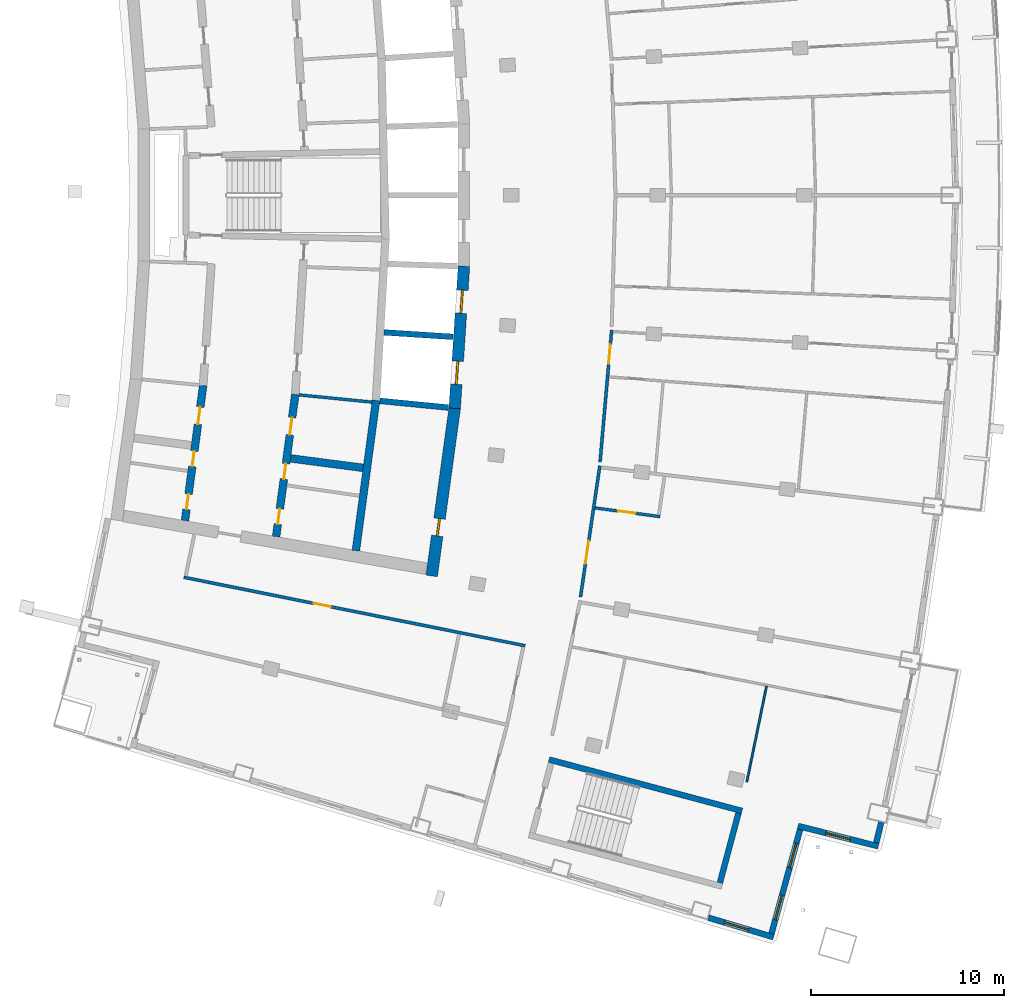
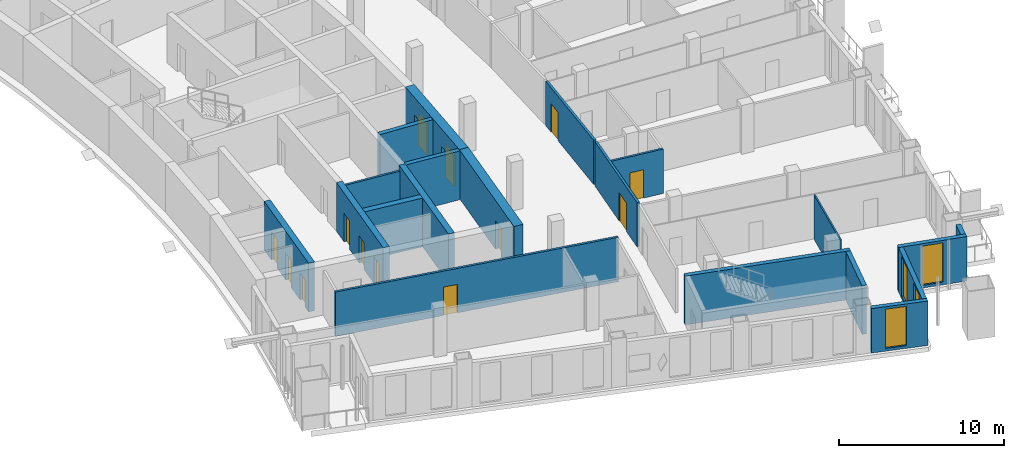
# One storey, part 10 of 19: 20 walls, 13 doors, 4 windows, 17 openings.
"""IFC4 building model written with IfcOpenShell, lengths in metres."""

from ifc_helpers import new_model, si_unit, direction, frame, frame_2d, origin, place, context, subcontext, project, spatial, rectangle, extrude, material, layer, layer_set, type_object, element, fill, save


model = new_model("IFC4")

# Units and contexts
model_context = context("Model", 3, precision=1e-05, world=origin(), true_north=direction((0.0, 1.0)))
body_context = subcontext(model_context, "Body", "Model", "MODEL_VIEW")
ifc_project = project(units=[si_unit("LENGTHUNIT", "METRE"), si_unit("AREAUNIT", "SQUARE_METRE"), si_unit("VOLUMEUNIT", "CUBIC_METRE"), si_unit("PLANEANGLEUNIT", "RADIAN"), si_unit("MASSUNIT", "GRAM", prefix="KILO")], contexts=[model_context])

# Site, building, storey
site_placement = place(None, origin())
site = spatial("IfcSite", under=ifc_project, at=site_placement, CompositionType="ELEMENT")
building_placement = place(site_placement, origin())
building = spatial("IfcBuilding", under=site, at=building_placement, Name="Alderwake Tower", CompositionType="ELEMENT")
storey_placement = place(building_placement, frame((0.0, 0.0, 196.39990234375)))
storey = spatial("IfcBuildingStorey", under=building, at=storey_placement, Name="L48", CompositionType="ELEMENT", Elevation=196.39990234375)

# Wall
ifc_material_1 = material(Name="Gypsum shaft wall system, rated")
ifc_layer_1 = layer(ifc_material_1, 0.14990234375)
ifc_layer_set_1 = layer_set([ifc_layer_1], Name="Core room partition 150")
wall_type_1 = type_object("IfcWallType", Name="Core room partition 150", PredefinedType="PARTITIONING", material=ifc_layer_set_1)
wall_1_placement = place(storey_placement, frame((24.789794921875, 50.64501953125, 0.0), z_axis=(0.0, 0.0, 1.0), x_axis=(0.995153039802, -0.098338331148, 0.0)))
element("IfcWall", 1, at=wall_1_placement, inside=storey, type_object=wall_type_1, Name="CW/L48/PR-103_+86", PredefinedType="PARTITIONING", context=body_context, shape_type="SweptSolid", body=[
    extrude(rectangle(XDim=3.7958984375, YDim=0.14990234375, at=frame_2d((1.89794921875, 0.0))), origin(), (0.0, 0.0, 1.0), 3.280029296875),
])

# Wall, opening, door
ifc_material_2 = material(Name="Concrete C70/85", Category="concrete")
ifc_layer_2 = layer(ifc_material_2, 0.60009765625)
ifc_layer_set_2 = layer_set([ifc_layer_2], Name="Core wall outer 600 C70-85")
wall_type_2 = type_object("IfcWallType", Name="Core wall outer 600 C70-85", PredefinedType="SHEAR", material=ifc_layer_set_2)
wall_2_placement = place(storey_placement, frame((32.862548828125, 49.967529296875, 0.0), z_axis=(0.0, 0.0, 1.0), x_axis=(-0.135856583698, -0.990728514108, 0.0)))
wall_2 = element("IfcWall", 2, at=wall_2_placement, inside=storey, type_object=wall_type_2, Name="Core wall CW.017", PredefinedType="SHEAR", context=body_context, shape_type="SweptSolid", body=[
    extrude(rectangle(XDim=8.79296875, YDim=0.60009765625, at=frame_2d((4.396484375, 0.0))), origin(), (0.0, 0.0, 1.0), 3.60009765625),
])
opening_1_placement = place(wall_2_placement, frame((5.79541015625, 0.0, 0.0)))
opening_1 = element("IfcOpeningElement", 3, at=opening_1_placement, cuts=wall_2, Name="Opening C060", PredefinedType="OPENING", context=body_context, shape_type="SweptSolid", body=[
    extrude(rectangle(XDim=0.89990234375, YDim=2.10009765625, at=frame_2d((0.449951171875, 1.050048828125))), frame((0.0, 0.31005859375, 0.0), z_axis=(0.0, -1.0, 0.0), x_axis=(1.0, 0.0, 0.0)), (0.0, 0.0, 1.0), 0.6201171875),
])
ifc_material_3 = material(Name="Painted steel leaf", Category="steel")
door_type_1 = type_object("IfcDoorType", Name="Core room door 900", OperationType="SINGLE_SWING_LEFT", PredefinedType="DOOR", material=ifc_material_3)
door_1_placement = place(opening_1_placement, origin())
door_1 = element("IfcDoor", 4, at=door_1_placement, inside=storey, type_object=door_type_1, Name="Room door", OperationType="SINGLE_SWING_RIGHT", OverallHeight=2.10009765625, OverallWidth=0.89990234375, PredefinedType="DOOR", context=body_context, shape_type="SweptSolid", body=[
    extrude(rectangle(XDim=0.89990234375, YDim=2.10009765625, at=frame_2d((0.449951171875, 1.050048828125))), frame((0.0, 0.050048828125, 0.0), z_axis=(0.0, -1.0, 0.0), x_axis=(1.0, 0.0, 0.0)), (0.0, 0.0, 1.0), 0.10009765625),
])
fill(opening_1, door_1)

# Wall, openings, doors
wall_3_placement = place(storey_placement, frame((32.860107421875, 49.9453125, 0.0), z_axis=(0.0, 0.0, 1.0), x_axis=(0.065013379938, 0.997884392317, 0.0)))
wall_3 = element("IfcWall", 5, at=wall_3_placement, inside=storey, type_object=wall_type_2, Name="Core wall CW.016", PredefinedType="SHEAR", context=body_context, shape_type="SweptSolid", body=[
    extrude(rectangle(XDim=7.39404296875, YDim=0.60009765625, at=frame_2d((3.697021484375, 0.0))), origin(), (0.0, 0.0, 1.0), 3.60009765625),
])
opening_2_placement = place(wall_3_placement, frame((1.254150390625, 0.0, 0.0)))
opening_2 = element("IfcOpeningElement", 6, at=opening_2_placement, cuts=wall_3, Name="Opening LD-HP1", PredefinedType="OPENING", context=body_context, shape_type="SweptSolid", body=[
    extrude(rectangle(XDim=1.199951171875, YDim=2.300048828125, at=frame_2d((0.60009765625, 1.14990234375))), frame((0.0, 0.31005859375, 0.0), z_axis=(0.0, -1.0, 0.0), x_axis=(1.0, 0.0, 0.0)), (0.0, 0.0, 1.0), 0.6201171875),
])
opening_3_placement = place(wall_3_placement, frame((4.941162109375, 0.0, 0.0)))
opening_3 = element("IfcOpeningElement", 7, at=opening_3_placement, cuts=wall_3, Name="Opening LD-HP2", PredefinedType="OPENING", context=body_context, shape_type="SweptSolid", body=[
    extrude(rectangle(XDim=1.199951171875, YDim=2.300048828125, at=frame_2d((0.60009765625, 1.14990234375))), frame((0.0, 0.31005859375, 0.0), z_axis=(0.0, -1.0, 0.0), x_axis=(1.0, 0.0, 0.0)), (0.0, 0.0, 1.0), 0.6201171875),
])
ifc_material_4 = material(Name="Stainless steel sliding leaf", Category="steel")
door_type_2 = type_object("IfcDoorType", Name="Lift landing door 1200", OperationType="SLIDING_TO_LEFT", PredefinedType="DOOR", material=ifc_material_4)
door_2_placement = place(opening_2_placement, origin())
door_2 = element("IfcDoor", 8, at=door_2_placement, inside=storey, type_object=door_type_2, Name="Lift landing door HP1", OperationType="SLIDING_TO_LEFT", OverallHeight=2.300048828125, OverallWidth=1.199951171875, PredefinedType="DOOR", context=body_context, shape_type="SweptSolid", body=[
    extrude(rectangle(XDim=1.199951171875, YDim=2.300048828125, at=frame_2d((0.60009765625, 1.14990234375))), frame((0.0, 0.050048828125, 0.0), z_axis=(0.0, -1.0, 0.0), x_axis=(1.0, 0.0, 0.0)), (0.0, 0.0, 1.0), 0.10009765625),
])
fill(opening_2, door_2)
door_3_placement = place(opening_3_placement, origin())
door_3 = element("IfcDoor", 9, at=door_3_placement, inside=storey, type_object=door_type_2, Name="Lift landing door HP2", OperationType="SLIDING_TO_LEFT", OverallHeight=2.300048828125, OverallWidth=1.199951171875, PredefinedType="DOOR", context=body_context, shape_type="SweptSolid", body=[
    extrude(rectangle(XDim=1.199951171875, YDim=2.300048828125, at=frame_2d((0.60009765625, 1.14990234375))), frame((0.0, 0.050048828125, 0.0), z_axis=(0.0, -1.0, 0.0), x_axis=(1.0, 0.0, 0.0)), (0.0, 0.0, 1.0), 0.10009765625),
])
fill(opening_3, door_3)

# Walls
ifc_material_5 = material(Name="Concrete C70/85", Category="concrete")
ifc_layer_3 = layer(ifc_material_5, 0.300048828125)
ifc_layer_set_3 = layer_set([ifc_layer_3], Name="Core wall shaft 300 C70-85")
wall_type_3 = type_object("IfcWallType", Name="Core wall shaft 300 C70-85", PredefinedType="SHEAR", material=ifc_layer_set_3)
wall_4_placement = place(storey_placement, frame((28.9794921875, 50.336181640625, 0.0), z_axis=(0.0, 0.0, 1.0), x_axis=(0.995246218868, -0.097390778977, 0.0)))
element("IfcWall", 10, at=wall_4_placement, inside=storey, type_object=wall_type_3, Name="Core wall CW.064", PredefinedType="SHEAR", context=body_context, shape_type="SweptSolid", body=[
    extrude(rectangle(XDim=3.56982421875, YDim=0.300048828125, at=frame_2d((1.784912109375, 0.0))), origin(), (0.0, 0.0, 1.0), 3.60009765625),
])
wall_5_placement = place(storey_placement, frame((29.190185546875, 53.8896484375, 0.0), z_axis=(0.0, 0.0, 1.0), x_axis=(0.997887207314, -0.064970158371, 0.0)))
element("IfcWall", 11, at=wall_5_placement, inside=storey, type_object=wall_type_3, Name="Core wall CW.078", PredefinedType="SHEAR", context=body_context, shape_type="SweptSolid", body=[
    extrude(rectangle(XDim=3.588623046875, YDim=0.300048828125, at=frame_2d((1.79443359375, 0.0))), origin(), (0.0, 0.0, 1.0), 3.60009765625),
])

# Wall, openings, doors
ifc_material_6 = material(Name="Concrete C70/85", Category="concrete")
ifc_layer_4 = layer(ifc_material_6, 0.39990234375)
ifc_layer_set_4 = layer_set([ifc_layer_4], Name="Core wall spine 400 C70-85")
wall_type_4 = type_object("IfcWallType", Name="Core wall spine 400 C70-85", PredefinedType="SHEAR", material=ifc_layer_set_4)
wall_6_placement = place(storey_placement, frame((19.814697265625, 51.143798828125, 0.0), z_axis=(0.0, 0.0, 1.0), x_axis=(-0.133333838703, -0.991071181831, 0.0)))
wall_6 = element("IfcWall", 12, at=wall_6_placement, inside=storey, type_object=wall_type_4, Name="Core wall CW.033", PredefinedType="SHEAR", context=body_context, shape_type="SweptSolid", body=[
    extrude(rectangle(XDim=7.078857421875, YDim=0.39990234375, at=frame_2d((3.53955078125, 0.0))), origin(), (0.0, 0.0, 1.0), 3.60009765625),
])
opening_4_placement = place(wall_6_placement, frame((5.69677734375, 0.0, 0.0)))
opening_4 = element("IfcOpeningElement", 13, at=opening_4_placement, cuts=wall_6, Name="Opening C008", PredefinedType="OPENING", context=body_context, shape_type="SweptSolid", body=[
    extrude(rectangle(XDim=0.800048828125, YDim=2.0, at=frame_2d((0.39990234375, 1.0))), frame((0.0, 0.2099609375, 0.0), z_axis=(0.0, -1.0, 0.0), x_axis=(1.0, 0.0, 0.0)), (0.0, 0.0, 1.0), 0.419921875),
])
opening_5_placement = place(wall_6_placement, frame((3.443115234375, 0.0, 0.0)))
opening_5 = element("IfcOpeningElement", 14, at=opening_5_placement, cuts=wall_6, Name="Opening C012", PredefinedType="OPENING", context=body_context, shape_type="SweptSolid", body=[
    extrude(rectangle(XDim=0.800048828125, YDim=2.0, at=frame_2d((0.39990234375, 1.0))), frame((0.0, 0.2099609375, 0.0), z_axis=(0.0, -1.0, 0.0), x_axis=(1.0, 0.0, 0.0)), (0.0, 0.0, 1.0), 0.419921875),
])
opening_6_placement = place(wall_6_placement, frame((1.13916015625, 0.0, 0.0)))
opening_6 = element("IfcOpeningElement", 15, at=opening_6_placement, cuts=wall_6, Name="Opening C039", PredefinedType="OPENING", context=body_context, shape_type="SweptSolid", body=[
    extrude(rectangle(XDim=0.89990234375, YDim=2.10009765625, at=frame_2d((0.449951171875, 1.050048828125))), frame((0.0, 0.2099609375, 0.0), z_axis=(0.0, -1.0, 0.0), x_axis=(1.0, 0.0, 0.0)), (0.0, 0.0, 1.0), 0.419921875),
])
door_4_placement = place(opening_6_placement, origin())
door_4 = element("IfcDoor", 16, at=door_4_placement, inside=storey, type_object=door_type_1, Name="Room door", OperationType="SINGLE_SWING_LEFT", OverallHeight=2.10009765625, OverallWidth=0.89990234375, PredefinedType="DOOR", context=body_context, shape_type="SweptSolid", body=[
    extrude(rectangle(XDim=0.89990234375, YDim=2.10009765625, at=frame_2d((0.449951171875, 1.050048828125))), frame((0.0, 0.02490234375, 0.0), z_axis=(0.0, -1.0, 0.0), x_axis=(1.0, 0.0, 0.0)), (0.0, 0.0, 1.0), 0.050048828125),
])
fill(opening_6, door_4)
ifc_material_7 = material(Name="Painted steel leaf, rated", Category="steel")
door_type_3 = type_object("IfcDoorType", Name="Riser access door 800", OperationType="SINGLE_SWING_LEFT", PredefinedType="DOOR", material=ifc_material_7)
door_5_placement = place(opening_4_placement, origin())
door_5 = element("IfcDoor", 17, at=door_5_placement, inside=storey, type_object=door_type_3, Name="Riser access door", OperationType="SINGLE_SWING_LEFT", OverallHeight=2.0, OverallWidth=0.800048828125, PredefinedType="DOOR", context=body_context, shape_type="SweptSolid", body=[
    extrude(rectangle(XDim=0.800048828125, YDim=2.0, at=frame_2d((0.39990234375, 1.0))), frame((0.0, 0.02490234375, 0.0), z_axis=(0.0, -1.0, 0.0), x_axis=(1.0, 0.0, 0.0)), (0.0, 0.0, 1.0), 0.050048828125),
])
fill(opening_4, door_5)
door_6_placement = place(opening_5_placement, origin())
door_6 = element("IfcDoor", 18, at=door_6_placement, inside=storey, type_object=door_type_3, Name="Riser access door", OperationType="SINGLE_SWING_RIGHT", OverallHeight=2.0, OverallWidth=0.800048828125, PredefinedType="DOOR", context=body_context, shape_type="SweptSolid", body=[
    extrude(rectangle(XDim=0.800048828125, YDim=2.0, at=frame_2d((0.39990234375, 1.0))), frame((0.0, 0.02490234375, 0.0), z_axis=(0.0, -1.0, 0.0), x_axis=(1.0, 0.0, 0.0)), (0.0, 0.0, 1.0), 0.050048828125),
])
fill(opening_5, door_6)

wall_7_placement = place(storey_placement, frame((23.597412109375, 43.29248046875, 0.0), z_axis=(0.0, 0.0, 1.0), x_axis=(0.133499326361, 0.99104890387, 0.0)))
wall_7 = element("IfcWall", 19, at=wall_7_placement, inside=storey, type_object=wall_type_4, Name="Core wall CW.047", PredefinedType="SHEAR", context=body_context, shape_type="SweptSolid", body=[
    extrude(rectangle(XDim=7.44677734375, YDim=0.39990234375, at=frame_2d((3.723388671875, 0.0))), origin(), (0.0, 0.0, 1.0), 3.60009765625),
])
opening_7_placement = place(wall_7_placement, frame((0.65771484375, 0.0, 0.0)))
opening_7 = element("IfcOpeningElement", 20, at=opening_7_placement, cuts=wall_7, Name="Opening C015", PredefinedType="OPENING", context=body_context, shape_type="SweptSolid", body=[
    extrude(rectangle(XDim=0.800048828125, YDim=2.0, at=frame_2d((0.39990234375, 1.0))), frame((0.0, 0.2099609375, 0.0), z_axis=(0.0, -1.0, 0.0), x_axis=(1.0, 0.0, 0.0)), (0.0, 0.0, 1.0), 0.419921875),
])
opening_8_placement = place(wall_7_placement, frame((3.019287109375, 0.0, 0.0)))
opening_8 = element("IfcOpeningElement", 21, at=opening_8_placement, cuts=wall_7, Name="Opening C019", PredefinedType="OPENING", context=body_context, shape_type="SweptSolid", body=[
    extrude(rectangle(XDim=0.800048828125, YDim=2.0, at=frame_2d((0.39990234375, 1.0))), frame((0.0, 0.2099609375, 0.0), z_axis=(0.0, -1.0, 0.0), x_axis=(1.0, 0.0, 0.0)), (0.0, 0.0, 1.0), 0.419921875),
])
opening_9_placement = place(wall_7_placement, frame((5.331298828125, 0.0, 0.0)))
opening_9 = element("IfcOpeningElement", 22, at=opening_9_placement, cuts=wall_7, Name="Opening C045", PredefinedType="OPENING", context=body_context, shape_type="SweptSolid", body=[
    extrude(rectangle(XDim=0.89990234375, YDim=2.10009765625, at=frame_2d((0.449951171875, 1.050048828125))), frame((0.0, 0.2099609375, 0.0), z_axis=(0.0, -1.0, 0.0), x_axis=(1.0, 0.0, 0.0)), (0.0, 0.0, 1.0), 0.419921875),
])
door_7_placement = place(opening_9_placement, origin())
door_7 = element("IfcDoor", 23, at=door_7_placement, inside=storey, type_object=door_type_1, Name="Room door", OperationType="SINGLE_SWING_LEFT", OverallHeight=2.10009765625, OverallWidth=0.89990234375, PredefinedType="DOOR", context=body_context, shape_type="SweptSolid", body=[
    extrude(rectangle(XDim=0.89990234375, YDim=2.10009765625, at=frame_2d((0.449951171875, 1.050048828125))), frame((0.0, 0.02490234375, 0.0), z_axis=(0.0, -1.0, 0.0), x_axis=(1.0, 0.0, 0.0)), (0.0, 0.0, 1.0), 0.050048828125),
])
fill(opening_9, door_7)
door_8_placement = place(opening_7_placement, origin())
door_8 = element("IfcDoor", 24, at=door_8_placement, inside=storey, type_object=door_type_3, Name="Riser access door", OperationType="SINGLE_SWING_LEFT", OverallHeight=2.0, OverallWidth=0.800048828125, PredefinedType="DOOR", context=body_context, shape_type="SweptSolid", body=[
    extrude(rectangle(XDim=0.800048828125, YDim=2.0, at=frame_2d((0.39990234375, 1.0))), frame((0.0, 0.02490234375, 0.0), z_axis=(0.0, -1.0, 0.0), x_axis=(1.0, 0.0, 0.0)), (0.0, 0.0, 1.0), 0.050048828125),
])
fill(opening_7, door_8)
door_9_placement = place(opening_8_placement, origin())
door_9 = element("IfcDoor", 25, at=door_9_placement, inside=storey, type_object=door_type_3, Name="Riser access door", OperationType="SINGLE_SWING_RIGHT", OverallHeight=2.0, OverallWidth=0.800048828125, PredefinedType="DOOR", context=body_context, shape_type="SweptSolid", body=[
    extrude(rectangle(XDim=0.800048828125, YDim=2.0, at=frame_2d((0.39990234375, 1.0))), frame((0.0, 0.02490234375, 0.0), z_axis=(0.0, -1.0, 0.0), x_axis=(1.0, 0.0, 0.0)), (0.0, 0.0, 1.0), 0.050048828125),
])
fill(opening_8, door_9)

# Walls
wall_8_placement = place(storey_placement, frame((27.7333984375, 42.56103515625, 0.0), z_axis=(0.0, 0.0, 1.0), x_axis=(0.133132598714, 0.991098234869, 0.0)))
element("IfcWall", 26, at=wall_8_placement, inside=storey, type_object=wall_type_4, Name="Core wall CW.006", PredefinedType="SHEAR", context=body_context, shape_type="SweptSolid", body=[
    extrude(rectangle(XDim=7.87255859375, YDim=0.39990234375, at=frame_2d((3.936279296875, 0.0))), origin(), (0.0, 0.0, 1.0), 3.60009765625),
])
wall_9_placement = place(storey_placement, frame((24.34619140625, 47.352294921875, 0.0), z_axis=(0.0, 0.0, 1.0), x_axis=(0.991554071493, -0.129693960172, 0.0)))
element("IfcWall", 27, at=wall_9_placement, inside=storey, type_object=wall_type_4, Name="Core wall CW.069", PredefinedType="SHEAR", context=body_context, shape_type="SweptSolid", body=[
    extrude(rectangle(XDim=3.794921875, YDim=0.39990234375, at=frame_2d((1.8974609375, 0.0))), origin(), (0.0, 0.0, 1.0), 3.60009765625),
])
ifc_material_8 = material(Name="Concrete C70/85", Category="concrete")
ifc_layer_5 = layer(ifc_material_8, 0.300048828125)
ifc_layer_set_5 = layer_set([ifc_layer_5], Name="Core wall stair enclosure 300 C70-85")
wall_type_5 = type_object("IfcWallType", Name="Core wall stair enclosure 300 C70-85", PredefinedType="SHEAR", material=ifc_layer_set_5)
wall_10_placement = place(storey_placement, frame((37.75390625, 31.731201171875, 0.0), z_axis=(0.0, 0.0, 1.0), x_axis=(0.966309214305, -0.257383958996, 0.0)))
element("IfcWall", 28, at=wall_10_placement, inside=storey, type_object=wall_type_5, Name="Core wall CW.086", PredefinedType="SHEAR", context=body_context, shape_type="SweptSolid", body=[
    extrude(rectangle(XDim=10.360107421875, YDim=0.300048828125, at=frame_2d((5.18017578125, 0.0))), origin(), (0.0, 0.0, 1.0), 3.60009765625),
])
wall_11_placement = place(storey_placement, frame((46.6162109375, 25.334716796875, 0.0), z_axis=(0.0, 0.0, 1.0), x_axis=(0.257366821694, 0.966313778796, 0.0)))
element("IfcWall", 29, at=wall_11_placement, inside=storey, type_object=wall_type_5, Name="Core wall CW.085", PredefinedType="SHEAR", context=body_context, shape_type="SweptSolid", body=[
    extrude(rectangle(XDim=3.749755859375, YDim=0.300048828125, at=frame_2d((1.875, 0.0))), origin(), (0.0, 0.0, 1.0), 3.60009765625),
])

# Wall, opening, door
ifc_material_9 = material(Name="Gypsum board on metal studs, rated")
ifc_layer_6 = layer(ifc_material_9, 0.159912109375)
ifc_layer_set_6 = layer_set([ifc_layer_6], Name="Corridor wall 160")
wall_type_6 = type_object("IfcWallType", Name="Corridor wall 160", PredefinedType="PARTITIONING", material=ifc_layer_set_6)
wall_12_placement = place(storey_placement, frame((36.513427734375, 37.63427734375, 0.0), z_axis=(0.0, 0.0, 1.0), x_axis=(-0.980470254867, 0.1966674333, 0.0)))
wall_12 = element("IfcWall", 30, at=wall_12_placement, inside=storey, type_object=wall_type_6, Name="WL/L48/W09", PredefinedType="PARTITIONING", context=body_context, shape_type="SweptSolid", body=[
    extrude(rectangle(XDim=18.053466796875, YDim=0.159912109375, at=frame_2d((9.02685546875, 0.0))), origin(), (0.0, 0.0, 1.0), 3.280029296875),
])
opening_10_placement = place(wall_12_placement, frame((10.277099609375, 0.0, 0.0)))
opening_10 = element("IfcOpeningElement", 31, at=opening_10_placement, cuts=wall_12, Name="Opening R13-SBS1", PredefinedType="OPENING", context=body_context, shape_type="SweptSolid", body=[
    extrude(rectangle(XDim=0.89990234375, YDim=2.10009765625, at=frame_2d((0.449951171875, 1.050048828125))), frame((0.0, 0.08984375, 0.0), z_axis=(0.0, -1.0, 0.0), x_axis=(1.0, 0.0, 0.0)), (0.0, 0.0, 1.0), 0.179931640625),
])
ifc_material_10 = material(Name="Painted timber leaf", Category="wood")
door_type_4 = type_object("IfcDoorType", Name="Room door 900", OperationType="SINGLE_SWING_LEFT", PredefinedType="DOOR", material=ifc_material_10)
door_10_placement = place(opening_10_placement, origin())
door_10 = element("IfcDoor", 32, at=door_10_placement, inside=storey, type_object=door_type_4, Name="DR/L48/SBS1", OperationType="SINGLE_SWING_LEFT", OverallHeight=2.10009765625, OverallWidth=0.89990234375, PredefinedType="DOOR", context=body_context, shape_type="SweptSolid", body=[
    extrude(rectangle(XDim=0.89990234375, YDim=2.10009765625, at=frame_2d((0.449951171875, 1.050048828125))), frame((0.0, 0.02490234375, 0.0), z_axis=(0.0, -1.0, 0.0), x_axis=(1.0, 0.0, 0.0)), (0.0, 0.0, 1.0), 0.050048828125),
])
fill(opening_10, door_10)

wall_13_placement = place(storey_placement, frame((40.388671875, 46.97216796875, 0.0), z_axis=(0.0, 0.0, 1.0), x_axis=(-0.145535848078, -0.989352978933, 0.0)))
wall_13 = element("IfcWall", 33, at=wall_13_placement, inside=storey, type_object=wall_type_6, Name="WL/L48/W21", PredefinedType="PARTITIONING", context=body_context, shape_type="SweptSolid", body=[
    extrude(rectangle(XDim=6.884521484375, YDim=0.159912109375, at=frame_2d((3.4423828125, 0.0))), origin(), (0.0, 0.0, 1.0), 3.280029296875),
])
opening_11_placement = place(wall_13_placement, frame((3.943115234375, 0.0, 0.0)))
opening_11 = element("IfcOpeningElement", 34, at=opening_11_placement, cuts=wall_13, Name="Opening R13-AM1.1", PredefinedType="OPENING", context=body_context, shape_type="SweptSolid", body=[
    extrude(rectangle(XDim=1.199951171875, YDim=2.10009765625, at=frame_2d((0.60009765625, 1.050048828125))), frame((0.0, 0.08984375, 0.0), z_axis=(0.0, -1.0, 0.0), x_axis=(1.0, 0.0, 0.0)), (0.0, 0.0, 1.0), 0.179931640625),
])
ifc_material_11 = material(Name="Steel-framed fire door leaf", Category="steel")
door_type_5 = type_object("IfcDoorType", Name="Lobby door 1200 fire-rated", OperationType="SINGLE_SWING_LEFT", PredefinedType="DOOR", material=ifc_material_11)
door_11_placement = place(opening_11_placement, origin())
door_11 = element("IfcDoor", 35, at=door_11_placement, inside=storey, type_object=door_type_5, Name="DR/L48/AM1.1", OperationType="SINGLE_SWING_LEFT", OverallHeight=2.10009765625, OverallWidth=1.199951171875, PredefinedType="DOOR", context=body_context, shape_type="SweptSolid", body=[
    extrude(rectangle(XDim=1.199951171875, YDim=2.10009765625, at=frame_2d((0.60009765625, 1.050048828125))), frame((0.0, 0.02490234375, 0.0), z_axis=(0.0, -1.0, 0.0), x_axis=(1.0, 0.0, 0.0)), (0.0, 0.0, 1.0), 0.050048828125),
])
fill(opening_11, door_11)

wall_14_placement = place(storey_placement, frame((41.001953125, 54.013671875, 0.0), z_axis=(0.0, 0.0, 1.0), x_axis=(-0.087419573149, -0.996171580718, 0.0)))
wall_14 = element("IfcWall", 36, at=wall_14_placement, inside=storey, type_object=wall_type_6, Name="WL/L48/W23", PredefinedType="PARTITIONING", context=body_context, shape_type="SweptSolid", body=[
    extrude(rectangle(XDim=6.88134765625, YDim=0.159912109375, at=frame_2d((3.440673828125, 0.0))), origin(), (0.0, 0.0, 1.0), 3.280029296875),
])
opening_12_placement = place(wall_14_placement, frame((0.75830078125, 0.0, 0.0)))
opening_12 = element("IfcOpeningElement", 37, at=opening_12_placement, cuts=wall_14, Name="Opening R13-U04.2", PredefinedType="OPENING", context=body_context, shape_type="SweptSolid", body=[
    extrude(rectangle(XDim=1.0, YDim=2.10009765625, at=frame_2d((0.5, 1.050048828125))), frame((0.0, 0.08984375, 0.0), z_axis=(0.0, -1.0, 0.0), x_axis=(1.0, 0.0, 0.0)), (0.0, 0.0, 1.0), 0.179931640625),
])
ifc_material_12 = material(Name="Solid timber leaf in steel frame", Category="steel")
door_type_6 = type_object("IfcDoorType", Name="Flat entrance door 1000 fire-rated", OperationType="SINGLE_SWING_LEFT", PredefinedType="DOOR", material=ifc_material_12)
door_12_placement = place(opening_12_placement, origin())
door_12 = element("IfcDoor", 38, at=door_12_placement, inside=storey, type_object=door_type_6, Name="DR/L48/U04.2", OperationType="SINGLE_SWING_LEFT", OverallHeight=2.10009765625, OverallWidth=1.0, PredefinedType="DOOR", context=body_context, shape_type="SweptSolid", body=[
    extrude(rectangle(XDim=1.0, YDim=2.10009765625, at=frame_2d((0.5, 1.050048828125))), frame((0.0, 0.02490234375, 0.0), z_axis=(0.0, -1.0, 0.0), x_axis=(1.0, 0.0, 0.0)), (0.0, 0.0, 1.0), 0.050048828125),
])
fill(opening_12, door_12)

# Wall
ifc_material_13 = material(Name="Precast concrete C50/60 spandrel panel", Category="concrete")
ifc_layer_7 = layer(ifc_material_13, 0.300048828125)
ifc_layer_set_7 = layer_set([ifc_layer_7], Name="External wall EW1 Precast concrete C50/60 spandrel")
wall_type_7 = type_object("IfcWallType", Name="External wall EW1 Precast concrete C50/60 spandrel", PredefinedType="SOLIDWALL", material=ifc_layer_set_7)
wall_15_placement = place(storey_placement, frame((54.723876953125, 27.413818359375, 0.0), z_axis=(0.0, 0.0, 1.0), x_axis=(0.238229467514, 0.971208896586, 0.0)))
element("IfcWall", 39, at=wall_15_placement, inside=storey, type_object=wall_type_7, Name="External wall 11", PredefinedType="SOLIDWALL", context=body_context, shape_type="SweptSolid", body=[
    extrude(rectangle(XDim=1.094482421875, YDim=0.300048828125, at=frame_2d((0.54736328125, 0.0))), origin(), (0.0, 0.0, 1.0), 3.280029296875),
])

# Wall, opening, window
ifc_material_14 = material(Name="Bronze metal cladding on lightweight framing")
ifc_layer_8 = layer(ifc_material_14, 0.300048828125)
ifc_layer_set_8 = layer_set([ifc_layer_8], Name="External wall EW2 bronze metal cladding")
wall_type_8 = type_object("IfcWallType", Name="External wall EW2 bronze metal cladding", PredefinedType="SOLIDWALL", material=ifc_layer_set_8)
wall_16_placement = place(storey_placement, frame((46.023193359375, 23.529541015625, 0.0), z_axis=(0.0, 0.0, 1.0), x_axis=(0.957772837348, -0.287525984978, 0.0)))
wall_16 = element("IfcWall", 40, at=wall_16_placement, inside=storey, type_object=wall_type_8, Name="External wall 8", PredefinedType="SOLIDWALL", context=body_context, shape_type="SweptSolid", body=[
    extrude(rectangle(XDim=3.521240234375, YDim=0.300048828125, at=frame_2d((1.7607421875, 0.0))), origin(), (0.0, 0.0, 1.0), 3.280029296875),
])
opening_13_placement = place(wall_16_placement, frame((0.872314453125, 0.0, 0.199951171875)))
opening_13 = element("IfcOpeningElement", 41, at=opening_13_placement, cuts=wall_16, Name="Opening W1", PredefinedType="OPENING", context=body_context, shape_type="SweptSolid", body=[
    extrude(rectangle(XDim=1.300048828125, YDim=2.89990234375, at=frame_2d((0.64990234375, 1.449951171875))), frame((0.0, 0.159912109375, 0.0), z_axis=(0.0, -1.0, 0.0), x_axis=(1.0, 0.0, 0.0)), (0.0, 0.0, 1.0), 0.320068359375),
])
ifc_material_15 = material(Name="Bronze tinted glass in aluminium frame", Category="aluminium")
window_type = type_object("IfcWindowType", Name="Window W1 tall fixed and vent", PartitioningType="DOUBLE_PANEL_VERTICAL", PredefinedType="WINDOW", material=ifc_material_15)
window_1_placement = place(opening_13_placement, origin())
window_1 = element("IfcWindow", 42, at=window_1_placement, inside=storey, type_object=window_type, Name="Window W1 tall fixed and vent", OverallHeight=2.89990234375, OverallWidth=1.300048828125, PartitioningType="DOUBLE_PANEL_VERTICAL", PredefinedType="WINDOW", context=body_context, shape_type="SweptSolid", body=[
    extrude(rectangle(XDim=1.300048828125, YDim=2.89990234375, at=frame_2d((0.64990234375, 1.449951171875))), frame((0.0, 0.030029296875, 0.0), z_axis=(0.0, -1.0, 0.0), x_axis=(1.0, 0.0, 0.0)), (0.0, 0.0, 1.0), 0.06005859375),
])
fill(opening_13, window_1)

# Wall, openings, windows
wall_17_placement = place(storey_placement, frame((49.2919921875, 22.704833984375, 0.0), z_axis=(0.0, 0.0, 1.0), x_axis=(0.26510175808, 0.964220440492, 0.0)))
wall_17 = element("IfcWall", 43, at=wall_17_placement, inside=storey, type_object=wall_type_8, Name="External wall 9", PredefinedType="SOLIDWALL", context=body_context, shape_type="SweptSolid", body=[
    extrude(rectangle(XDim=5.599365234375, YDim=0.300048828125, at=frame_2d((2.7998046875, 0.0))), origin(), (0.0, 0.0, 1.0), 3.280029296875),
])
opening_14_placement = place(wall_17_placement, frame((0.749755859375, 0.0, 0.199951171875)))
opening_14 = element("IfcOpeningElement", 44, at=opening_14_placement, cuts=wall_17, Name="Opening W1", PredefinedType="OPENING", context=body_context, shape_type="SweptSolid", body=[
    extrude(rectangle(XDim=1.300048828125, YDim=2.89990234375, at=frame_2d((0.64990234375, 1.449951171875))), frame((0.0, 0.159912109375, 0.0), z_axis=(0.0, -1.0, 0.0), x_axis=(1.0, 0.0, 0.0)), (0.0, 0.0, 1.0), 0.320068359375),
])
opening_15_placement = place(wall_17_placement, frame((3.54931640625, 0.0, 0.199951171875)))
opening_15 = element("IfcOpeningElement", 45, at=opening_15_placement, cuts=wall_17, Name="Opening W1", PredefinedType="OPENING", context=body_context, shape_type="SweptSolid", body=[
    extrude(rectangle(XDim=1.300048828125, YDim=2.89990234375, at=frame_2d((0.64990234375, 1.449951171875))), frame((0.0, 0.159912109375, 0.0), z_axis=(0.0, -1.0, 0.0), x_axis=(1.0, 0.0, 0.0)), (0.0, 0.0, 1.0), 0.320068359375),
])
window_2_placement = place(opening_14_placement, origin())
window_2 = element("IfcWindow", 46, at=window_2_placement, inside=storey, type_object=window_type, Name="Window W1 tall fixed and vent", OverallHeight=2.89990234375, OverallWidth=1.300048828125, PartitioningType="DOUBLE_PANEL_VERTICAL", PredefinedType="WINDOW", context=body_context, shape_type="SweptSolid", body=[
    extrude(rectangle(XDim=1.300048828125, YDim=2.89990234375, at=frame_2d((0.64990234375, 1.449951171875))), frame((0.0, 0.030029296875, 0.0), z_axis=(0.0, -1.0, 0.0), x_axis=(1.0, 0.0, 0.0)), (0.0, 0.0, 1.0), 0.06005859375),
])
fill(opening_14, window_2)
window_3_placement = place(opening_15_placement, origin())
window_3 = element("IfcWindow", 47, at=window_3_placement, inside=storey, type_object=window_type, Name="Window W1 tall fixed and vent", OverallHeight=2.89990234375, OverallWidth=1.300048828125, PartitioningType="DOUBLE_PANEL_VERTICAL", PredefinedType="WINDOW", context=body_context, shape_type="SweptSolid", body=[
    extrude(rectangle(XDim=1.300048828125, YDim=2.89990234375, at=frame_2d((0.64990234375, 1.449951171875))), frame((0.0, 0.030029296875, 0.0), z_axis=(0.0, -1.0, 0.0), x_axis=(1.0, 0.0, 0.0)), (0.0, 0.0, 1.0), 0.06005859375),
])
fill(opening_15, window_3)

# Wall, opening, window
wall_18_placement = place(storey_placement, frame((50.670654296875, 28.28515625, 0.0), z_axis=(0.0, 0.0, 1.0), x_axis=(0.969425962264, -0.245383992325, 0.0)))
wall_18 = element("IfcWall", 48, at=wall_18_placement, inside=storey, type_object=wall_type_8, Name="External wall 10", PredefinedType="SOLIDWALL", context=body_context, shape_type="SweptSolid", body=[
    extrude(rectangle(XDim=4.294189453125, YDim=0.300048828125, at=frame_2d((2.14697265625, 0.0))), origin(), (0.0, 0.0, 1.0), 3.280029296875),
])
opening_16_placement = place(wall_18_placement, frame((1.4970703125, 0.0, 0.199951171875)))
opening_16 = element("IfcOpeningElement", 49, at=opening_16_placement, cuts=wall_18, Name="Opening W1", PredefinedType="OPENING", context=body_context, shape_type="SweptSolid", body=[
    extrude(rectangle(XDim=1.300048828125, YDim=2.89990234375, at=frame_2d((0.64990234375, 1.449951171875))), frame((0.0, 0.159912109375, 0.0), z_axis=(0.0, -1.0, 0.0), x_axis=(1.0, 0.0, 0.0)), (0.0, 0.0, 1.0), 0.320068359375),
])
window_4_placement = place(opening_16_placement, origin())
window_4 = element("IfcWindow", 50, at=window_4_placement, inside=storey, type_object=window_type, Name="Window W1 tall fixed and vent", OverallHeight=2.89990234375, OverallWidth=1.300048828125, PartitioningType="DOUBLE_PANEL_VERTICAL", PredefinedType="WINDOW", context=body_context, shape_type="SweptSolid", body=[
    extrude(rectangle(XDim=1.300048828125, YDim=2.89990234375, at=frame_2d((0.64990234375, 1.449951171875))), frame((0.0, 0.030029296875, 0.0), z_axis=(0.0, -1.0, 0.0), x_axis=(1.0, 0.0, 0.0)), (0.0, 0.0, 1.0), 0.06005859375),
])
fill(opening_16, window_4)

# Wall, opening, door
ifc_material_16 = material(Name="Gypsum shaft wall system, rated")
ifc_layer_9 = layer(ifc_material_16, 0.14990234375)
ifc_layer_set_9 = layer_set([ifc_layer_9], Name="Riser and shaft wall 150")
wall_type_9 = type_object("IfcWallType", Name="Riser and shaft wall 150", PredefinedType="PARTITIONING", material=ifc_layer_set_9)
wall_19_placement = place(storey_placement, frame((40.147216796875, 44.7822265625, 0.0), z_axis=(0.0, 0.0, 1.0), x_axis=(0.991087891329, -0.133209577962, 0.0)))
wall_19 = element("IfcWall", 51, at=wall_19_placement, inside=storey, type_object=wall_type_9, Name="WL/L48/W06", PredefinedType="PARTITIONING", context=body_context, shape_type="SweptSolid", body=[
    extrude(rectangle(XDim=3.394287109375, YDim=0.14990234375, at=frame_2d((1.697265625, 0.0))), origin(), (0.0, 0.0, 1.0), 3.280029296875),
])
opening_17_placement = place(wall_19_placement, frame((1.209228515625, 0.0, 0.0)))
opening_17 = element("IfcOpeningElement", 52, at=opening_17_placement, cuts=wall_19, Name="Opening R13-AM1.2", PredefinedType="OPENING", context=body_context, shape_type="SweptSolid", body=[
    extrude(rectangle(XDim=0.89990234375, YDim=2.10009765625, at=frame_2d((0.449951171875, 1.050048828125))), frame((0.0, 0.0849609375, 0.0), z_axis=(0.0, -1.0, 0.0), x_axis=(1.0, 0.0, 0.0)), (0.0, 0.0, 1.0), 0.169921875),
])
door_13_placement = place(opening_17_placement, origin())
door_13 = element("IfcDoor", 53, at=door_13_placement, inside=storey, type_object=door_type_4, Name="DR/L48/AM1.2", OperationType="SINGLE_SWING_LEFT", OverallHeight=2.10009765625, OverallWidth=0.89990234375, PredefinedType="DOOR", context=body_context, shape_type="SweptSolid", body=[
    extrude(rectangle(XDim=0.89990234375, YDim=2.10009765625, at=frame_2d((0.449951171875, 1.050048828125))), frame((0.0, 0.02490234375, 0.0), z_axis=(0.0, -1.0, 0.0), x_axis=(1.0, 0.0, 0.0)), (0.0, 0.0, 1.0), 0.050048828125),
])
fill(opening_17, door_13)

# Wall
ifc_material_17 = material(Name="Gypsum board on metal studs")
ifc_layer_10 = layer(ifc_material_17, 0.10009765625)
ifc_layer_set_10 = layer_set([ifc_layer_10], Name="Unit partition 100")
wall_type_10 = type_object("IfcWallType", Name="Unit partition 100", PredefinedType="PARTITIONING", material=ifc_layer_set_10)
wall_20_placement = place(storey_placement, frame((48.011962890625, 30.575927734375, 0.0), z_axis=(0.0, 0.0, 1.0), x_axis=(0.202312373165, 0.979321042184, 0.0)))
element("IfcWall", 54, at=wall_20_placement, inside=storey, type_object=wall_type_10, Name="WL/L48/W49", PredefinedType="PARTITIONING", context=body_context, shape_type="SweptSolid", body=[
    extrude(rectangle(XDim=5.06591796875, YDim=0.10009765625, at=frame_2d((2.532958984375, 0.0))), origin(), (0.0, 0.0, 1.0), 3.280029296875),
])

save(model, "model.ifc")
